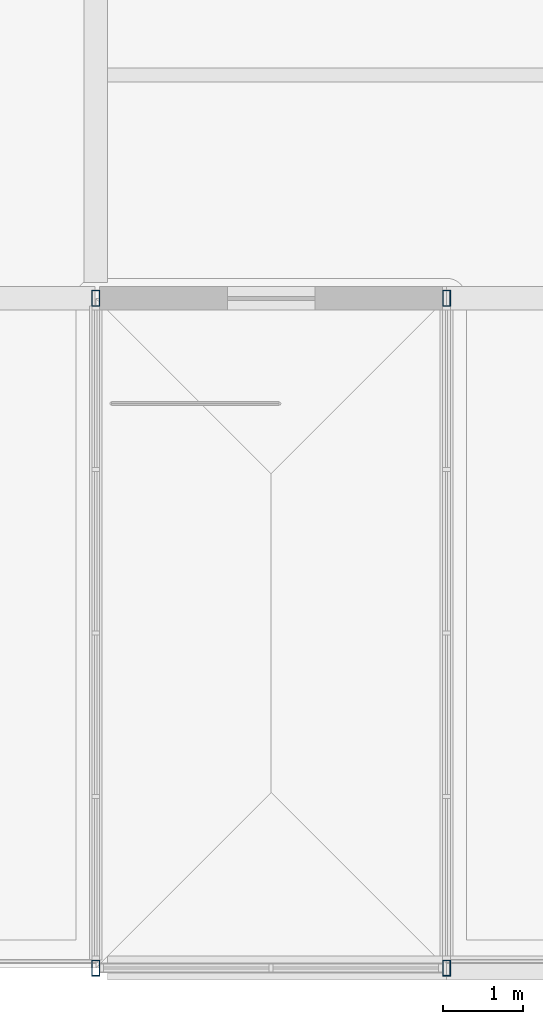
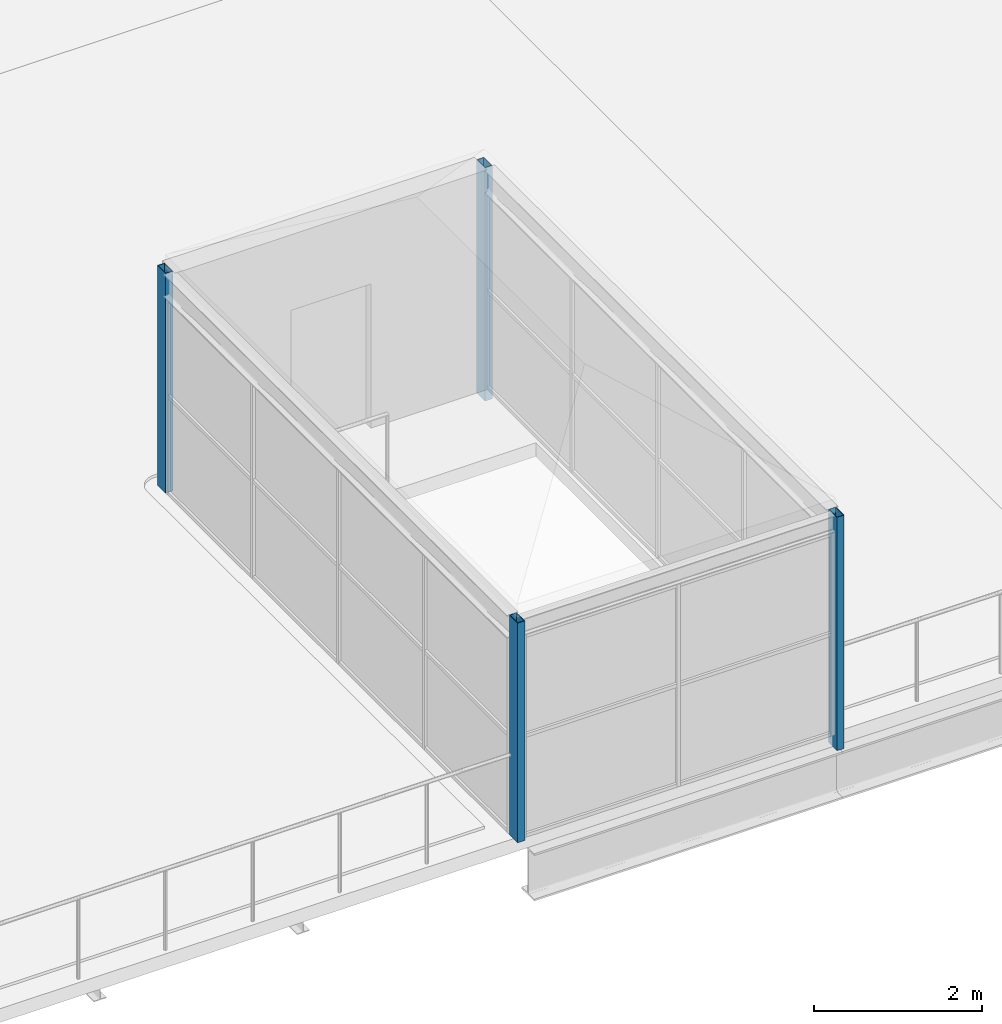
# One storey, part 1 of 58: 4 columns.
"""IFC4 building model written with IfcOpenShell, lengths in metres."""

from ifc_helpers import new_model, si_unit, direction, frame, origin, origin_2d, place, context, subcontext, project, spatial, hollow_rectangle, extrude, material, material_profile, profile_set, type_object, element, save


model = new_model("IFC4")

# Units and contexts
model_context = context("Model", 3, precision=1e-05, world=origin(), true_north=direction((0.0, 1.0)))
body_context = subcontext(model_context, "Body", "Model", "MODEL_VIEW")
ifc_project = project(units=[si_unit("LENGTHUNIT", "METRE"), si_unit("AREAUNIT", "SQUARE_METRE"), si_unit("VOLUMEUNIT", "CUBIC_METRE"), si_unit("PLANEANGLEUNIT", "RADIAN"), si_unit("MASSUNIT", "GRAM", prefix="KILO")], contexts=[model_context])

# Site, building, storey
site_placement = place(None, origin())
site = spatial("IfcSite", under=ifc_project, at=site_placement, CompositionType="ELEMENT")
building_placement = place(site_placement, origin())
building = spatial("IfcBuilding", under=site, at=building_placement, Name="Galleria Vessillo Department Store", CompositionType="ELEMENT")
storey_placement = place(building_placement, frame((0.0, 0.0, 31.199951171875)))
storey = spatial("IfcBuildingStorey", under=building, at=storey_placement, Name="L06", CompositionType="ELEMENT", Elevation=31.199951171875)

# Columns
ifc_material = material(Name="Steel S355 J2", Category="steel")
ifc_material_profile = material_profile(ifc_material, hollow_rectangle(XDim=0.10009765625, YDim=0.199951171875, WallThickness=0.008056640625, at=origin_2d()), Name="RHS 200x100x8")
ifc_profile_set = profile_set([ifc_material_profile], Name="Steel S355 J2")
column_type = type_object("IfcColumnType", Name="Steel post RHS 200x100x8", PredefinedType="COLUMN", material=ifc_profile_set)
column_1_placement = place(storey_placement, frame((8.39990234375, 0.0, 0.0), z_axis=(0.0, 0.0, 1.0), x_axis=(1.0, 0.0, 0.0)))
element("IfcColumn", 1, at=column_1_placement, inside=storey, type_object=column_type, Name="S-PP-ST1-1", PredefinedType="COLUMN", context=body_context, shape_type="SweptSolid", body=[
    extrude(hollow_rectangle(XDim=0.10009765625, YDim=0.199951171875, WallThickness=0.008056640625, at=origin_2d()), origin(), (0.0, 0.0, 1.0), 3.2001953125),
])
column_2_placement = place(storey_placement, frame((12.800048828125, 0.0, -0.199951171875), z_axis=(0.0, 0.0, 1.0), x_axis=(1.0, 0.0, 0.0)))
element("IfcColumn", 2, at=column_2_placement, inside=storey, type_object=column_type, Name="S-PP-ST1-2", PredefinedType="COLUMN", context=body_context, shape_type="SweptSolid", body=[
    extrude(hollow_rectangle(XDim=0.10009765625, YDim=0.199951171875, WallThickness=0.008056640625, at=origin_2d()), origin(), (0.0, 0.0, 1.0), 3.400146484375),
])
column_3_placement = place(storey_placement, frame((8.39990234375, 8.39990234375, 0.0), z_axis=(0.0, 0.0, 1.0), x_axis=(1.0, 0.0, 0.0)))
element("IfcColumn", 3, at=column_3_placement, inside=storey, type_object=column_type, Name="S-PP-ST1-3", PredefinedType="COLUMN", context=body_context, shape_type="SweptSolid", body=[
    extrude(hollow_rectangle(XDim=0.10009765625, YDim=0.199951171875, WallThickness=0.008056640625, at=origin_2d()), origin(), (0.0, 0.0, 1.0), 3.2001953125),
])
column_4_placement = place(storey_placement, frame((12.800048828125, 8.39990234375, -0.199951171875), z_axis=(0.0, 0.0, 1.0), x_axis=(1.0, 0.0, 0.0)))
element("IfcColumn", 4, at=column_4_placement, inside=storey, type_object=column_type, Name="S-PP-ST1-4", PredefinedType="COLUMN", context=body_context, shape_type="SweptSolid", body=[
    extrude(hollow_rectangle(XDim=0.10009765625, YDim=0.199951171875, WallThickness=0.008056640625, at=origin_2d()), origin(), (0.0, 0.0, 1.0), 3.400146484375),
])

save(model, "model.ifc")
